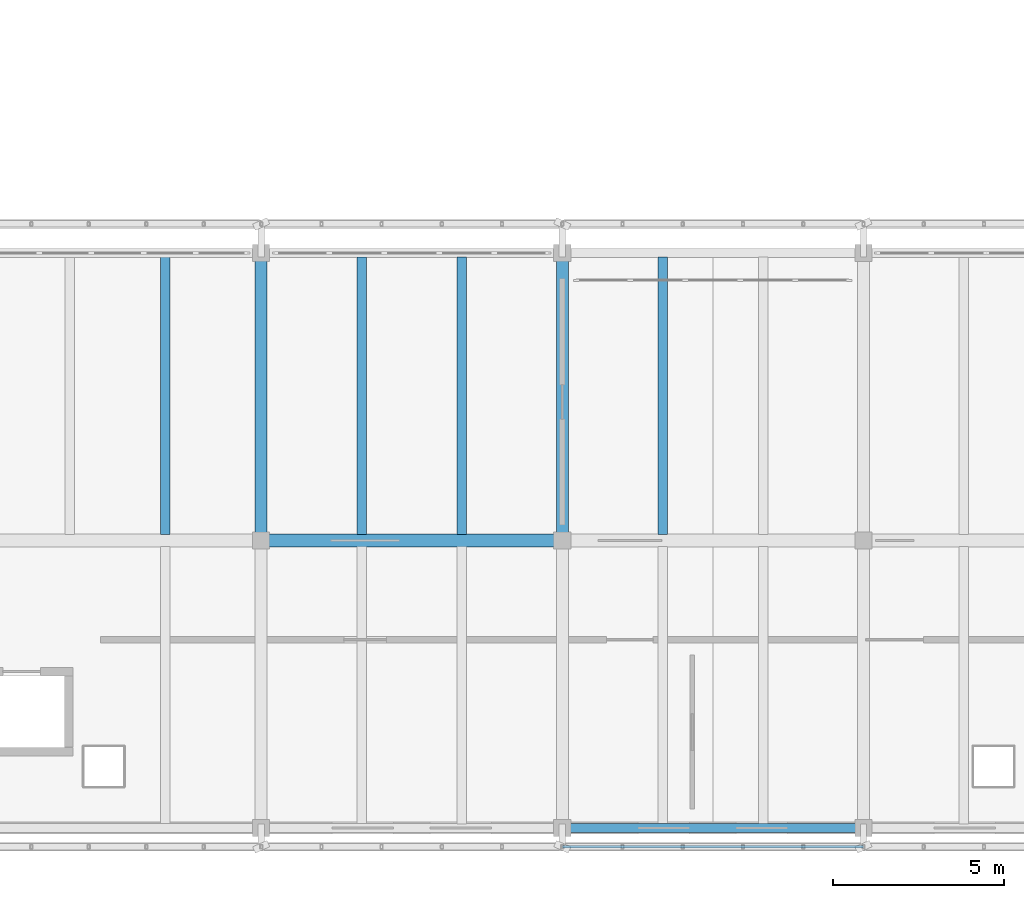
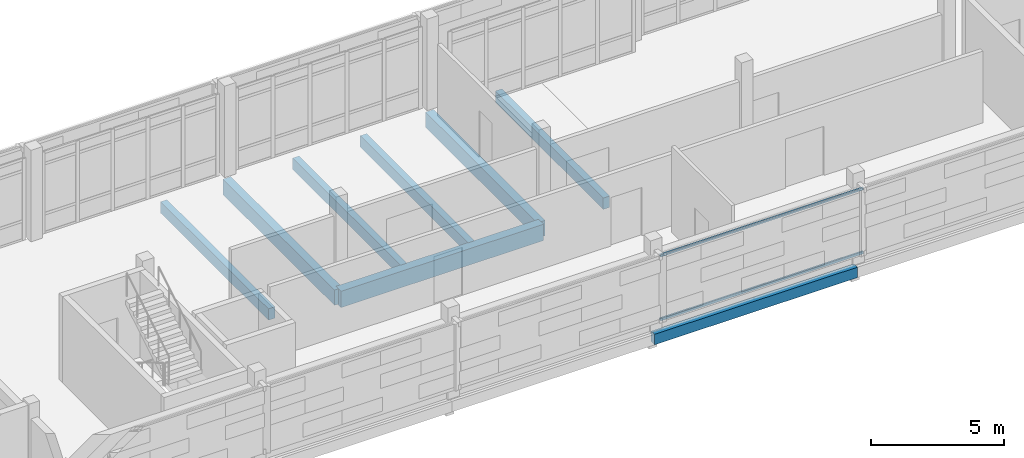
# One storey, part 25 of 137: 8 beams, 2 members.
"""IFC4 building model written with IfcOpenShell, lengths in metres."""

import ifcopenshell
import ifcopenshell.guid

model = None  # the IFC model being written
_history = None  # IfcOwnerHistory: only IFC2X3 demands one
_inside = {}  # id of a spatial element -> (the spatial element, [elements in it])
_under = {}  # id of a project, library or spatial element -> (it, [spatial elements below it])
_declared = {}  # id of a project -> (the project, [libraries it declares])
_typed = {}  # id of a type object -> (the type object, [elements of that type])
_made_of = {}  # id of a material, layer set ... -> (it, [elements and type objects made of it])


def new_model(schema):
    """Start an empty IFC model of exactly this schema.

    Asked for "IFC4X3", IfcOpenShell would pick the latest addendum, in which some entities
    have other attributes; the version numbers below select the first issue.
    IFC2X3 requires an IfcOwnerHistory on every rooted entity: one is made here for all.
    """
    global model, _history
    if schema == "IFC4X3":
        model = ifcopenshell.file(schema_version=(4, 3, 0, 0))
    else:
        model = ifcopenshell.file(schema=schema)
    _inside.clear()
    _under.clear()
    _declared.clear()
    _typed.clear()
    _made_of.clear()
    _history = None
    if model.schema == "IFC2X3":
        org = make("IfcOrganization", Name="unknown")
        user = make(
            "IfcPersonAndOrganization",
            ThePerson=make("IfcPerson", FamilyName="unknown"),
            TheOrganization=org,
        )
        app = make(
            "IfcApplication",
            ApplicationDeveloper=org,
            Version="unknown",
            ApplicationFullName="unknown",
            ApplicationIdentifier="unknown",
        )
        _history = make(
            "IfcOwnerHistory",
            OwningUser=user,
            OwningApplication=app,
            ChangeAction="ADDED",
            CreationDate=0,
        )
    return model


def make(cls, **values):
    """One entity of the class cls with the attributes given. An attribute that is None is left unset."""
    return model.create_entity(
        cls, **{name: value for name, value in values.items() if value is not None}
    )


def rooted(cls, **values):
    """An entity with a GlobalId (a new one), such as an element, a storey or a relation."""
    return make(cls, GlobalId=ifcopenshell.guid.new(), OwnerHistory=_history, **values)


def si_unit(unit_type, name, prefix=None):
    """IfcSIUnit, for example si_unit("LENGTHUNIT", "METRE", prefix="MILLI")."""
    return make("IfcSIUnit", UnitType=unit_type, Prefix=prefix, Name=name)


def assignment(units):
    """IfcUnitAssignment: the units of a project."""
    return None if units is None else make("IfcUnitAssignment", Units=units)


def point(xyz):
    """IfcCartesianPoint."""
    return None if xyz is None else make("IfcCartesianPoint", Coordinates=xyz)


def direction(xyz):
    """IfcDirection."""
    return None if xyz is None else make("IfcDirection", DirectionRatios=xyz)


def frame(location, z_axis=None, x_axis=None):
    """IfcAxis2Placement3D, a coordinate frame: its origin and axes. An axis left out is left unset."""
    return make(
        "IfcAxis2Placement3D",
        Location=point(location),
        Axis=direction(z_axis),
        RefDirection=direction(x_axis),
    )


def frame_2d(location, x_axis=None):
    """IfcAxis2Placement2D, a coordinate frame in the plane: its origin and x axis."""
    return make(
        "IfcAxis2Placement2D", Location=point(location), RefDirection=direction(x_axis)
    )


def origin():
    """The frame at (0, 0, 0) with its axes left unset."""
    return frame((0.0, 0.0, 0.0))


def origin_2d():
    """The frame at (0, 0) in the plane with its x axis left unset."""
    return frame_2d((0.0, 0.0))


def place(relative_to, where):
    """IfcLocalPlacement: puts the frame where relative to a parent placement (None: the world)."""
    return make(
        "IfcLocalPlacement", PlacementRelTo=relative_to, RelativePlacement=where
    )


def context(
    kind, dimensions, precision=None, world=None, true_north=None, identifier=None
):
    """IfcGeometricRepresentationContext, for example the 3D "Model" context."""
    return make(
        "IfcGeometricRepresentationContext",
        ContextIdentifier=identifier,
        ContextType=kind,
        CoordinateSpaceDimension=dimensions,
        Precision=precision,
        WorldCoordinateSystem=world,
        TrueNorth=true_north,
    )


def subcontext(parent, identifier, kind, view, scale=None):
    """IfcGeometricRepresentationSubContext, for example "Body" below "Model"."""
    return make(
        "IfcGeometricRepresentationSubContext",
        ContextIdentifier=identifier,
        ContextType=kind,
        ParentContext=parent,
        TargetScale=scale,
        TargetView=view,
    )


def project(units=None, contexts=None):
    """IfcProject with its units and contexts."""
    return rooted(
        "IfcProject",
        Name="project",
        RepresentationContexts=contexts,
        UnitsInContext=assignment(units),
    )


def spatial(cls, under=None, at=None, **own):
    """A site, building, storey or space (cls), placed at a placement, below another one or the project."""
    s = rooted(cls, ObjectPlacement=at, **own)
    if under is not None:
        _under.setdefault(under.id(), (under, []))[1].append(s)
    return s


def profile(cls, at=None, kind="AREA", **sizes):
    """A parametric profile (cls). Its sizes go by their IFC names, for example OverallWidth=200.0."""
    return make(cls, ProfileType=kind, Position=at, **sizes)


def rectangle(**sizes):
    """IfcRectangleProfileDef."""
    return profile("IfcRectangleProfileDef", **sizes)


def hollow_rectangle(**sizes):
    """IfcRectangleHollowProfileDef."""
    return profile("IfcRectangleHollowProfileDef", **sizes)


def extrude(swept, where, along, depth):
    """IfcExtrudedAreaSolid: the profile swept, set in the frame where, extruded along a direction by depth."""
    return make(
        "IfcExtrudedAreaSolid",
        SweptArea=swept,
        Position=where,
        ExtrudedDirection=direction(along),
        Depth=depth,
    )


def shape(context_of_items, identifier, shape_type, items):
    """IfcShapeRepresentation: the items that make up one representation, for example the "Body"."""
    return make(
        "IfcShapeRepresentation",
        ContextOfItems=context_of_items,
        RepresentationIdentifier=identifier,
        RepresentationType=shape_type,
        Items=items,
    )


def material(Name=None, Category=None):
    """IfcMaterial."""
    return make("IfcMaterial", Name=Name, Category=Category)


def material_profile(
    of_material, cross_section, Name=None, Category=None, Priority=None
):
    """IfcMaterialProfile: a cross section and its material."""
    return make(
        "IfcMaterialProfile",
        Name=Name,
        Material=of_material,
        Profile=cross_section,
        Priority=Priority,
        Category=Category,
    )


def profile_set(profiles, Name=None, composite=None):
    """IfcMaterialProfileSet."""
    return make(
        "IfcMaterialProfileSet",
        Name=Name,
        MaterialProfiles=profiles,
        CompositeProfile=composite,
    )


def made_of(thing, what):
    """Note that an element or type object is made of a material, layer set ...; save() writes the relation."""
    if what is not None:
        _made_of.setdefault(what.id(), (what, []))[1].append(thing)
    return thing


def type_object(cls, material=None, **own):
    """A type object (cls), such as IfcWallType, which elements share."""
    return made_of(rooted(cls, **own), material)


def element(
    cls,
    number,
    at=None,
    inside=None,
    cuts=None,
    type_object=None,
    material=None,
    context=None,
    identifier="Body",
    shape_type=None,
    held_by="IfcProductDefinitionShape",
    body=None,
    shapes=None,
    **own,
):
    """One element of the class cls, such as IfcWall. Its Tag is "e" and its number.

    at: its placement. inside: the storey or other place that contains it. cuts: it is an
    opening in that element (IfcRelVoidsElement). A single representation is given by context,
    identifier, shape_type and body (its items); several are given by shapes. held_by: the class
    of the entity that holds the representations. save() writes the other relations.
    """
    e = rooted(cls, Tag="e%d" % number, ObjectPlacement=at, **own)
    if body is not None:
        shapes = [shape(context, identifier, shape_type, body)]
    if shapes is not None:
        e.Representation = make(held_by, Representations=shapes)
    if inside is not None:
        _inside.setdefault(inside.id(), (inside, []))[1].append(e)
    if cuts is not None:
        rooted(
            "IfcRelVoidsElement", RelatingBuildingElement=cuts, RelatedOpeningElement=e
        )
    if type_object is not None:
        _typed.setdefault(type_object.id(), (type_object, []))[1].append(e)
    return made_of(e, material)


def aggregate(whole, parts):
    """IfcRelAggregates: a whole, such as a stair, and the parts it consists of."""
    return rooted("IfcRelAggregates", RelatingObject=whole, RelatedObjects=parts)


def save(model, path):
    """Write the relations noted so far, then the file.

    IfcRelAggregates (storeys below a building ...), IfcRelContainedInSpatialStructure (elements
    in a storey), IfcRelDefinesByType, IfcRelAssociatesMaterial and IfcRelDeclares: one each for
    every whole, place, type object, material and project.
    """
    for whole, parts in _under.values():
        aggregate(whole, parts)
    for where, things in _inside.values():
        rooted(
            "IfcRelContainedInSpatialStructure",
            RelatedElements=things,
            RelatingStructure=where,
        )
    for kind, things in _typed.values():
        rooted("IfcRelDefinesByType", RelatedObjects=things, RelatingType=kind)
    for what, things in _made_of.values():
        rooted("IfcRelAssociatesMaterial", RelatedObjects=things, RelatingMaterial=what)
    for by, libraries in _declared.values():
        rooted("IfcRelDeclares", RelatingContext=by, RelatedDefinitions=libraries)
    model.write(path)


model = new_model("IFC4")

# Units and contexts
model_context = context("Model", 3, precision=1e-05, world=origin(), true_north=direction((0.0, 1.0)))
body_context = subcontext(model_context, "Body", "Model", "MODEL_VIEW")
ifc_project = project(units=[si_unit("LENGTHUNIT", "METRE"), si_unit("AREAUNIT", "SQUARE_METRE"), si_unit("VOLUMEUNIT", "CUBIC_METRE"), si_unit("PLANEANGLEUNIT", "RADIAN"), si_unit("MASSUNIT", "GRAM", prefix="KILO")], contexts=[model_context])

# Site, building, storey
site_placement = place(None, origin())
site = spatial("IfcSite", under=ifc_project, at=site_placement, CompositionType="ELEMENT")
building_placement = place(site_placement, origin())
building = spatial("IfcBuilding", under=site, at=building_placement, Name="Cinderway Yard Community Centre", CompositionType="ELEMENT")
storey_placement = place(building_placement, frame((0.0, 0.0, 4.800048828125)))
storey = spatial("IfcBuildingStorey", under=building, at=storey_placement, Name="L01", CompositionType="ELEMENT", Elevation=4.800048828125)

# Members
ifc_material_1 = material(Name="Steel S355", Category="steel")
ifc_material_profile_1 = material_profile(ifc_material_1, hollow_rectangle(XDim=0.080078125, YDim=0.1201171875, WallThickness=0.00634765625, InnerFilletRadius=0.00634765625, OuterFilletRadius=0.0126953125, at=origin_2d()), Name="Steel S355")
ifc_profile_set_1 = profile_set([ifc_material_profile_1], Name="Steel S355")
member_type = type_object("IfcMemberType", Name="ENV-MEM-SCREEN-RAIL-120", PredefinedType="STRINGER", material=ifc_profile_set_1)
for number, where, z_axis, x_axis, name in (
    (1, (84.0, 5.449951171875, 0.7099609375), (1.0, 0.0, 0.0), (0.0, 1.0, 0.0), "Screen support rail 0569-BOT"),
    (2, (84.0, 5.449951171875, 3.639892578125), (1.0, 0.0, 0.0), (0.0, 1.0, 0.0), "Screen support rail 0570-TOP"),
):
    element("IfcMember", number, at=place(storey_placement, frame(where, z_axis=z_axis, x_axis=x_axis)), inside=storey, type_object=member_type, Name=name, PredefinedType="STRINGER", context=body_context, shape_type="SweptSolid", body=[
        extrude(hollow_rectangle(XDim=0.080078125, YDim=0.1201171875, WallThickness=0.00634765625, InnerFilletRadius=0.00634765625, OuterFilletRadius=0.0126953125, at=origin_2d()), origin(), (0.0, 0.0, 1.0), 8.800048828125),
    ])

# Beams
ifc_material_2 = material(Name="Concrete C40/50", Category="concrete")
ifc_material_profile_2 = material_profile(ifc_material_2, rectangle(XDim=0.260009765625, YDim=0.47998046875, at=origin_2d()), Name="Concrete C40/50")
ifc_profile_set_2 = profile_set([ifc_material_profile_2], Name="Concrete C40/50")
beam_type_1 = type_object("IfcBeamType", Name="STR-BM-RC260X480", PredefinedType="SPANDREL", material=ifc_profile_set_2)
beam_1_placement = place(storey_placement, frame((84.0, 6.0, -0.47998046875), z_axis=(1.0, 0.0, 0.0), x_axis=(0.0, 1.0, 0.0)))
element("IfcBeam", 3, at=beam_1_placement, inside=storey, type_object=beam_type_1, Name="Primary girder STR-BM-L01-SP01-0114", PredefinedType="SPANDREL", context=body_context, shape_type="SweptSolid", body=[
    extrude(rectangle(XDim=0.260009765625, YDim=0.47998046875, at=origin_2d()), origin(), (0.0, 0.0, 1.0), 8.800048828125),
])
ifc_material_3 = material(Name="Concrete C35/45", Category="concrete")
ifc_material_profile_3 = material_profile(ifc_material_3, rectangle(XDim=0.280029296875, YDim=0.52001953125, at=origin_2d()), Name="Concrete C35/45")
ifc_profile_set_3 = profile_set([ifc_material_profile_3], Name="Concrete C35/45")
beam_type_2 = type_object("IfcBeamType", Name="STR-BM-RC280X520", PredefinedType="JOIST", material=ifc_profile_set_3)
for number, where, z_axis, x_axis, name in (
    (4, (72.39990234375, 14.572021484375, -0.5), (0.0, 1.0, 0.0), (-1.0, 0.0, 0.0), "Secondary joist STR-BM-L01-BJ04-0152"),
    (5, (78.133056640625, 14.572021484375, -0.5), (0.0, 1.0, 0.0), (-1.0, 0.0, 0.0), "Secondary joist STR-BM-L01-BJ04-0155"),
    (6, (81.06689453125, 14.572021484375, -0.5), (0.0, 1.0, 0.0), (-1.0, 0.0, 0.0), "Secondary joist STR-BM-L01-BJ04-0156"),
    (7, (86.93310546875, 14.572021484375, -0.5), (0.0, 1.0, 0.0), (-1.0, 0.0, 0.0), "Secondary joist STR-BM-L01-BJ04-0159"),
):
    element("IfcBeam", number, at=place(storey_placement, frame(where, z_axis=z_axis, x_axis=x_axis)), inside=storey, type_object=beam_type_2, Name=name, PredefinedType="JOIST", context=body_context, shape_type="SweptSolid", body=[
        extrude(rectangle(XDim=0.280029296875, YDim=0.52001953125, at=origin_2d()), origin(), (0.0, 0.0, 1.0), 8.115966796875),
    ])
ifc_material_profile_4 = material_profile(ifc_material_3, rectangle(XDim=0.35009765625, YDim=0.699951171875, at=origin_2d()), Name="Concrete C35/45")
ifc_profile_set_4 = profile_set([ifc_material_profile_4], Name="Concrete C35/45")
beam_type_3 = type_object("IfcBeamType", Name="STR-BM-RC350X700", PredefinedType="BEAM", material=ifc_profile_set_4)
for number, where, z_axis, x_axis, name in (
    (8, (75.199951171875, 14.39990234375, -0.590087890625), (0.0, 1.0, 0.0), (-1.0, 0.0, 0.0), "Transverse girder STR-BM-L01-BG07-0136"),
    (9, (84.0, 14.39990234375, -0.590087890625), (0.0, 1.0, 0.0), (-1.0, 0.0, 0.0), "Transverse girder STR-BM-L01-BG07-0138"),
):
    element("IfcBeam", number, at=place(storey_placement, frame(where, z_axis=z_axis, x_axis=x_axis)), inside=storey, type_object=beam_type_3, Name=name, PredefinedType="BEAM", context=body_context, shape_type="SweptSolid", body=[
        extrude(rectangle(XDim=0.35009765625, YDim=0.699951171875, at=origin_2d()), origin(), (0.0, 0.0, 1.0), 8.400146484375),
    ])
ifc_material_profile_5 = material_profile(ifc_material_3, rectangle(XDim=0.3798828125, YDim=0.75, at=origin_2d()), Name="Concrete C35/45")
ifc_profile_set_5 = profile_set([ifc_material_profile_5], Name="Concrete C35/45")
beam_type_4 = type_object("IfcBeamType", Name="STR-BM-RC380X750", PredefinedType="BEAM", material=ifc_profile_set_5)
beam_2_placement = place(storey_placement, frame((75.199951171875, 14.39990234375, -0.614990234375), z_axis=(1.0, 0.0, 0.0), x_axis=(0.0, 1.0, 0.0)))
element("IfcBeam", 10, at=beam_2_placement, inside=storey, type_object=beam_type_4, Name="Primary girder STR-BM-L01-BG06-0120", PredefinedType="BEAM", context=body_context, shape_type="SweptSolid", body=[
    extrude(rectangle(XDim=0.3798828125, YDim=0.75, at=origin_2d()), origin(), (0.0, 0.0, 1.0), 8.800048828125),
])

save(model, "model.ifc")
